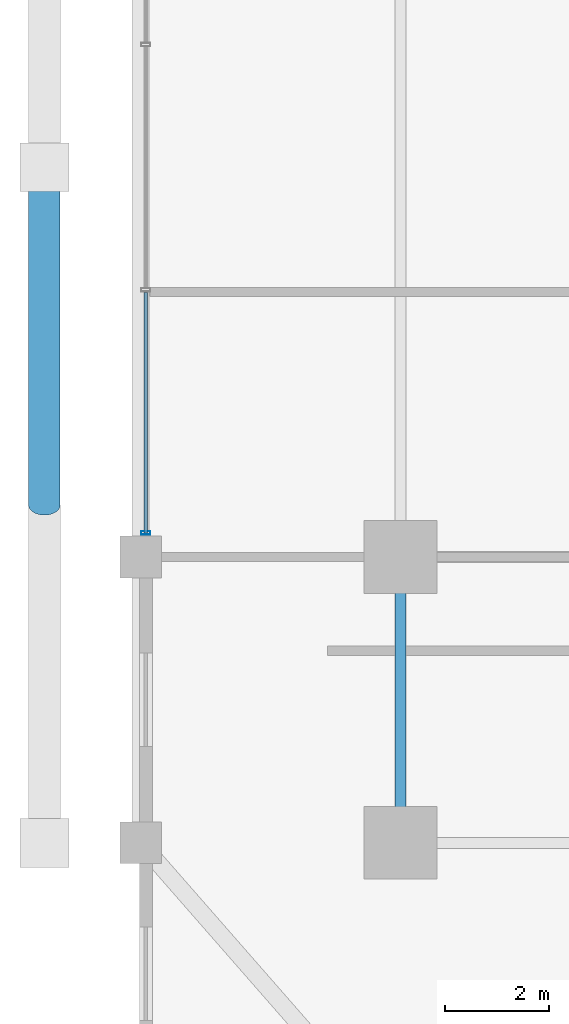
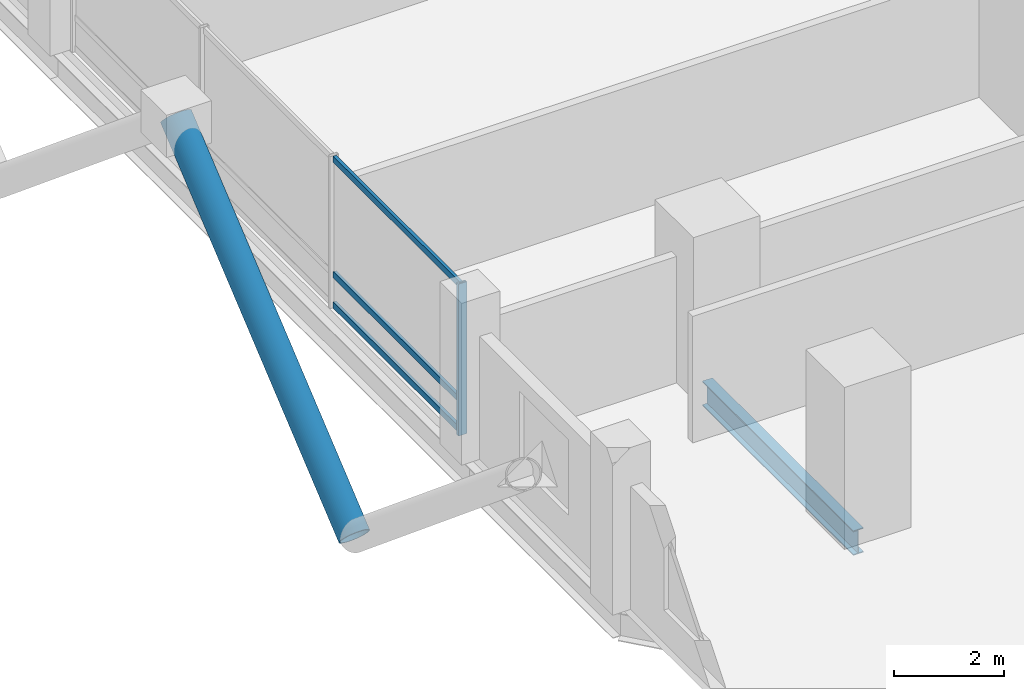
# One storey, part 4 of 21: 5 members, 1 beam, 1 element without a shape of its own.
"""IFC4 building model written with IfcOpenShell, lengths in metres."""

from ifc_helpers import new_model, si_unit, direction, frame, origin, origin_2d, place, context, subcontext, project, spatial, hollow_rectangle, hollow_circle, i_section, extrude, material, layer, layer_set, material_profile, profile_set, type_object, element, aggregate, save


model = new_model("IFC4")

# Units and contexts
model_context = context("Model", 3, precision=1e-05, world=origin(), true_north=direction((0.0, 1.0)))
body_context = subcontext(model_context, "Body", "Model", "MODEL_VIEW")
ifc_project = project(units=[si_unit("LENGTHUNIT", "METRE"), si_unit("AREAUNIT", "SQUARE_METRE"), si_unit("VOLUMEUNIT", "CUBIC_METRE"), si_unit("PLANEANGLEUNIT", "RADIAN"), si_unit("MASSUNIT", "GRAM", prefix="KILO")], contexts=[model_context])

# Site, building, storey
site_placement = place(None, origin())
site = spatial("IfcSite", under=ifc_project, at=site_placement, CompositionType="ELEMENT")
building_placement = place(site_placement, origin())
building = spatial("IfcBuilding", under=site, at=building_placement, Name="Barlavira Tower and Art Museum", CompositionType="ELEMENT")
storey_placement = place(building_placement, frame((0.0, 0.0, 79.199951171875)))
storey = spatial("IfcBuildingStorey", under=building, at=storey_placement, Name="L19", CompositionType="ELEMENT", Elevation=79.199951171875)

# Curtain wall, members
ifc_material_1 = material(Name="Low-iron coastal laminated glass", Category="glass")
ifc_layer = layer(ifc_material_1, 0.179931640625, Name="Low-iron coastal laminated glass")
ifc_layer_set = layer_set([ifc_layer], Name="Low-iron coastal laminated glass")
curtain_wall_type = type_object("IfcCurtainWallType", Name="Pale-Metal Unitised Curtain Wall Zone 1", PredefinedType="NOTDEFINED", material=ifc_layer_set)
curtain_wall_placement = place(storey_placement, origin())
curtain_wall = element("IfcCurtainWall", 1, at=curtain_wall_placement, inside=storey, type_object=curtain_wall_type, Name="L19 Curtain Wall CW1-L19-W-B3", PredefinedType="NOTDEFINED")
ifc_material_2 = material(Name="Pale anodised aluminium", Category="aluminium")
ifc_material_profile_1 = material_profile(ifc_material_2, hollow_rectangle(XDim=0.06494140625, YDim=0.179931640625, WallThickness=0.00390625, at=origin_2d()), Name="ALU-MULL 65x180x4")
ifc_profile_set_1 = profile_set([ifc_material_profile_1], Name="Pale anodised aluminium")
member_type_1 = type_object("IfcMemberType", Name="Curtain Wall Pale-Metal Mullion 65x180", PredefinedType="MULLION", material=ifc_profile_set_1)
member_1_placement = place(storey_placement, frame((-21.89990234375, -7.034912109375, 0.0), z_axis=(0.0, 0.0, 1.0), x_axis=(0.0, -1.0, 0.0)))
member_1 = element("IfcMember", 2, at=member_1_placement, type_object=member_type_1, Name="CW1-L19-W-B3 Mullion 3", PredefinedType="MULLION", context=body_context, shape_type="SweptSolid", body=[
    extrude(hollow_rectangle(XDim=0.06494140625, YDim=0.179931640625, WallThickness=0.00390625, at=origin_2d()), origin(), (0.0, 0.0, 1.0), 3.380126953125),
])
ifc_material_profile_2 = material_profile(ifc_material_2, hollow_rectangle(XDim=0.06494140625, YDim=0.139892578125, WallThickness=0.00390625, at=origin_2d()), Name="ALU-TRAN 65x140x4")
ifc_profile_set_2 = profile_set([ifc_material_profile_2], Name="Pale anodised aluminium")
member_type_2 = type_object("IfcMemberType", Name="Curtain Wall Pale-Metal Transom 65x140", PredefinedType="USERDEFINED", material=ifc_profile_set_2)
member_2_placement = place(storey_placement, frame((-21.89990234375, -2.405029296875, 0.070068359375), z_axis=(0.0, -1.0, 0.0), x_axis=(1.0, 0.0, 0.0)))
member_2 = element("IfcMember", 3, at=member_2_placement, type_object=member_type_2, Name="CW1-L19-W-B3 Transom 2.1", ObjectType="TRANSOM", PredefinedType="USERDEFINED", context=body_context, shape_type="SweptSolid", body=[
    extrude(hollow_rectangle(XDim=0.06494140625, YDim=0.139892578125, WallThickness=0.00390625, at=origin_2d()), origin(), (0.0, 0.0, 1.0), 4.6298828125),
])
member_3_placement = place(storey_placement, frame((-21.89990234375, -2.405029296875, 0.744140625), z_axis=(0.0, -1.0, 0.0), x_axis=(1.0, 0.0, 0.0)))
member_3 = element("IfcMember", 4, at=member_3_placement, type_object=member_type_2, Name="CW1-L19-W-B3 Transom 2.2", ObjectType="TRANSOM", PredefinedType="USERDEFINED", context=body_context, shape_type="SweptSolid", body=[
    extrude(hollow_rectangle(XDim=0.06494140625, YDim=0.139892578125, WallThickness=0.00390625, at=origin_2d()), origin(), (0.0, 0.0, 1.0), 4.6298828125),
])
member_4_placement = place(storey_placement, frame((-21.89990234375, -2.405029296875, 3.31005859375), z_axis=(0.0, -1.0, 0.0), x_axis=(1.0, 0.0, 0.0)))
member_4 = element("IfcMember", 5, at=member_4_placement, type_object=member_type_2, Name="CW1-L19-W-B3 Transom 2.3", ObjectType="TRANSOM", PredefinedType="USERDEFINED", context=body_context, shape_type="SweptSolid", body=[
    extrude(hollow_rectangle(XDim=0.06494140625, YDim=0.139892578125, WallThickness=0.00390625, at=origin_2d()), origin(), (0.0, 0.0, 1.0), 4.6298828125),
])
aggregate(curtain_wall, [member_1, member_2, member_3, member_4])

# Member
ifc_material_3 = material(Name="Steel S355", Category="steel")
ifc_material_profile_3 = material_profile(ifc_material_3, hollow_circle(Radius=0.304931640625, WallThickness=0.028076171875, at=origin_2d()), Name="CHS 610.0x28.0")
ifc_profile_set_3 = profile_set([ifc_material_profile_3], Name="Steel S355")
member_type_3 = type_object("IfcMemberType", Name="Pale-Metal Exoskeleton Diagrid Tube CHS 610x28 Steel S355", PredefinedType="BRACE", material=ifc_profile_set_3)
member_5_placement = place(storey_placement, frame((-23.85009765625, -6.5, -1.919921875), z_axis=(0.0, 0.769196053329, 0.639012857104), x_axis=(-1.0, 0.0, 0.0)))
element("IfcMember", 6, at=member_5_placement, inside=storey, type_object=member_type_3, Name="L19 Exoskeleton Diagrid Tube W", PredefinedType="BRACE", context=body_context, shape_type="SweptSolid", body=[
    extrude(hollow_circle(Radius=0.304931640625, WallThickness=0.028076171875, at=origin_2d()), origin(), (0.0, 0.0, 1.0), 8.450439453125),
])

# Beam
ifc_material_profile_4 = material_profile(ifc_material_3, i_section(OverallWidth=0.214111328125, OverallDepth=0.549072265625, WebThickness=0.0146484375, FlangeThickness=0.023681640625, at=origin_2d()), Name="W530x138.0")
ifc_profile_set_4 = profile_set([ifc_material_profile_4], Name="Steel S355")
beam_type = type_object("IfcBeamType", Name="Zone 1 Primary Floor Girder W530x138 Steel S355", PredefinedType="BEAM", material=ifc_profile_set_4)
beam_placement = place(storey_placement, frame((-17.0, -13.0, -0.494384765625), z_axis=(0.0, 1.0, 0.0), x_axis=(-1.0, 0.0, 0.0)))
element("IfcBeam", 7, at=beam_placement, inside=storey, type_object=beam_type, Name="L19 Girder M-W1", PredefinedType="BEAM", context=body_context, shape_type="SweptSolid", body=[
    extrude(i_section(OverallWidth=0.214111328125, OverallDepth=0.549072265625, WebThickness=0.0146484375, FlangeThickness=0.023681640625, at=origin_2d()), origin(), (0.0, 0.0, 1.0), 5.5),
])

save(model, "model.ifc")
